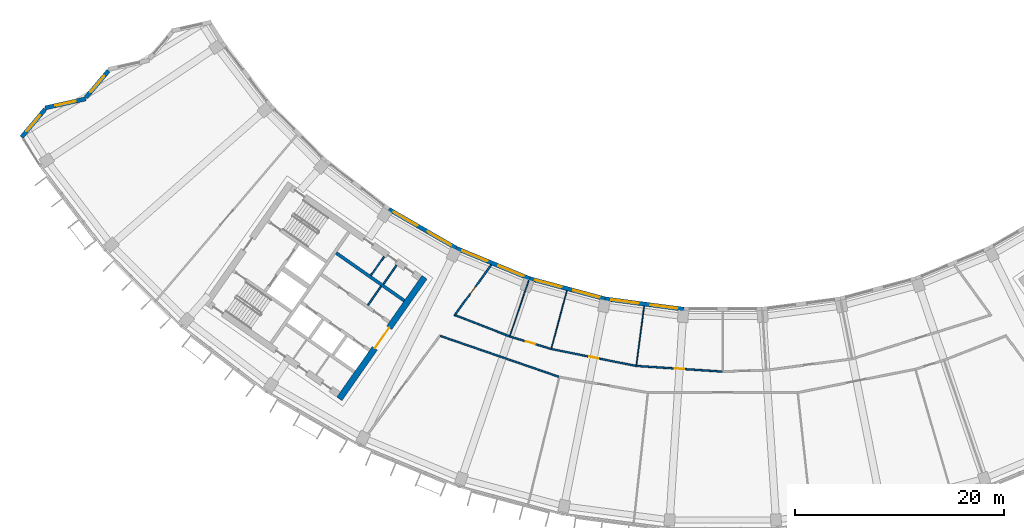
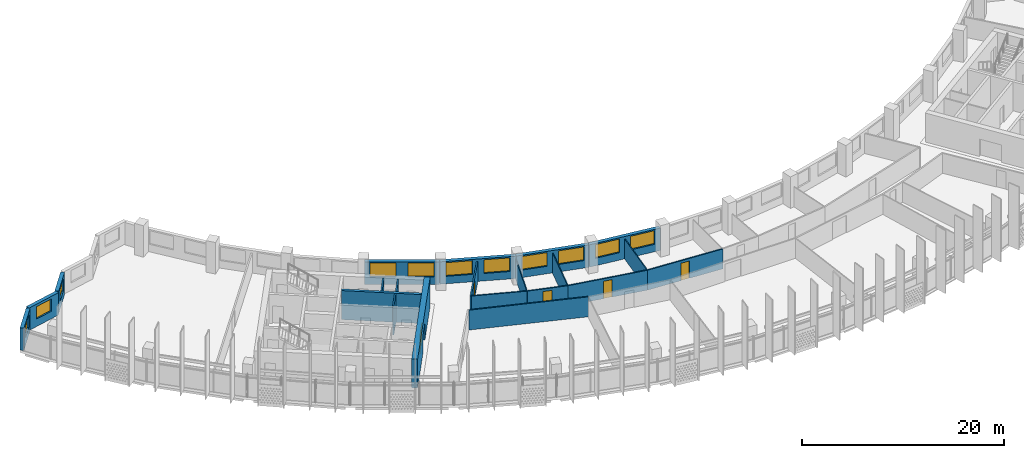
# One storey, part 4 of 28: 21 walls, 11 windows, 5 doors, 16 openings.
"""IFC4 building model written with IfcOpenShell, lengths in metres."""

from ifc_helpers import new_model, si_unit, direction, frame, frame_2d, origin, place, context, subcontext, project, spatial, rectangle, extrude, material, layer, layer_set, type_object, element, fill, save


model = new_model("IFC4")

# Units and contexts
model_context = context("Model", 3, precision=1e-05, world=origin(), true_north=direction((0.0, 1.0)))
body_context = subcontext(model_context, "Body", "Model", "MODEL_VIEW")
ifc_project = project(units=[si_unit("LENGTHUNIT", "METRE"), si_unit("AREAUNIT", "SQUARE_METRE"), si_unit("VOLUMEUNIT", "CUBIC_METRE"), si_unit("PLANEANGLEUNIT", "RADIAN"), si_unit("MASSUNIT", "GRAM", prefix="KILO")], contexts=[model_context])

# Site, building, storey
site_placement = place(None, origin())
site = spatial("IfcSite", under=ifc_project, at=site_placement, CompositionType="ELEMENT")
building_placement = place(site_placement, origin())
building = spatial("IfcBuilding", under=site, at=building_placement, Name="Qamariyya Broadcast Tower", CompositionType="ELEMENT")
storey_placement = place(building_placement, frame((0.0, 0.0, 241.699951171875)))
storey = spatial("IfcBuildingStorey", under=building, at=storey_placement, Name="L58", CompositionType="ELEMENT", Elevation=241.699951171875)

# Wall, opening, door
ifc_material_1 = material(Name="Concrete C60/75", Category="concrete")
ifc_layer_1 = layer(ifc_material_1, 0.60009765625)
ifc_layer_set_1 = layer_set([ifc_layer_1], Name="Core wall 600 mm Concrete C60/75")
wall_type_1 = type_object("IfcWallType", Name="Core wall 600 mm Concrete C60/75", PredefinedType="SHEAR", material=ifc_layer_set_1)
wall_1_placement = place(storey_placement, frame((-36.66748046875, -66.005126953125, 0.0), z_axis=(0.0, 0.0, 1.0), x_axis=(0.573568499524, 0.819157601658, 0.0)))
wall_1 = element("IfcWall", 1, at=wall_1_placement, inside=storey, type_object=wall_type_1, Name="k-W-L58-WA", PredefinedType="SHEAR", context=body_context, shape_type="SweptSolid", body=[
    extrude(rectangle(XDim=14.19970703125, YDim=0.60009765625, at=frame_2d((7.099853515625, 0.0))), origin(), (0.0, 0.0, 1.0), 3.5),
])
opening_1_placement = place(wall_1_placement, frame((5.89990234375, 0.0, 0.0)))
opening_1 = element("IfcOpeningElement", 2, at=opening_1_placement, cuts=wall_1, Name="Opening KD3-W1", PredefinedType="OPENING", context=body_context, shape_type="SweptSolid", body=[
    extrude(rectangle(XDim=2.39990234375, YDim=2.10009765625, at=frame_2d((1.199951171875, 1.050048828125))), frame((0.0, 0.31005859375, 0.0), z_axis=(0.0, -1.0, 0.0), x_axis=(1.0, 0.0, 0.0)), (0.0, 0.0, 1.0), 0.6201171875),
])
ifc_material_2 = material(Name="Steel fire-resisting door leaf", Category="steel")
door_type_1 = type_object("IfcDoorType", Name="Lift lobby door KD3", OperationType="DOUBLE_DOOR_SINGLE_SWING", PredefinedType="DOOR", material=ifc_material_2)
door_1_placement = place(opening_1_placement, origin())
door_1 = element("IfcDoor", 3, at=door_1_placement, inside=storey, type_object=door_type_1, Name="k-W-L58-WA-D1", OperationType="DOUBLE_DOOR_SINGLE_SWING", OverallHeight=2.10009765625, OverallWidth=2.39990234375, PredefinedType="DOOR", context=body_context, shape_type="SweptSolid", body=[
    extrude(rectangle(XDim=2.39990234375, YDim=2.10009765625, at=frame_2d((1.199951171875, 1.050048828125))), frame((0.0, 0.02490234375, 0.0), z_axis=(0.0, -1.0, 0.0), x_axis=(1.0, 0.0, 0.0)), (0.0, 0.0, 1.0), 0.050048828125),
])
fill(opening_1, door_1)

# Walls
ifc_material_3 = material(Name="Gypsum board partition")
ifc_layer_2 = layer(ifc_material_3, 0.14990234375)
ifc_layer_set_2 = layer_set([ifc_layer_2], Name="Corridor partition 150 EI 60")
wall_type_2 = type_object("IfcWallType", Name="Corridor partition 150 EI 60", PredefinedType="PARTITIONING", material=ifc_layer_set_2)
wall_2_placement = place(storey_placement, frame((-27.0068359375, -59.99462890625, 0.0), z_axis=(0.0, 0.0, 1.0), x_axis=(0.9453766492, -0.325980047162, 0.0)))
element("IfcWall", 4, at=wall_2_placement, inside=storey, type_object=wall_type_2, Name="Partition L58-003", PredefinedType="PARTITIONING", context=body_context, shape_type="SweptSolid", body=[
    extrude(rectangle(XDim=12.02587890625, YDim=0.14990234375, at=frame_2d((6.012939453125, 0.0))), origin(), (0.0, 0.0, 1.0), 2.400146484375),
])
wall_3_placement = place(storey_placement, frame((-25.561767578125, -58.014892578125, 0.0), z_axis=(0.0, 0.0, 1.0), x_axis=(0.931697931841, -0.363234034479, 0.0)))
element("IfcWall", 5, at=wall_3_placement, inside=storey, type_object=wall_type_2, Name="Partition L58-004", PredefinedType="PARTITIONING", context=body_context, shape_type="SweptSolid", body=[
    extrude(rectangle(XDim=5.5625, YDim=0.14990234375, at=frame_2d((2.78125, 0.0))), origin(), (0.0, 0.0, 1.0), 2.400146484375),
])

# Wall, opening, door
wall_4_placement = place(storey_placement, frame((-22.135498046875, -53.1943359375, 0.0), z_axis=(0.0, 0.0, 1.0), x_axis=(-0.589297062476, -0.807916438846, 0.0)))
wall_4 = element("IfcWall", 6, at=wall_4_placement, inside=storey, type_object=wall_type_2, Name="Partition L58-005", PredefinedType="PARTITIONING", context=body_context, shape_type="SweptSolid", body=[
    extrude(rectangle(XDim=6.008056640625, YDim=0.14990234375, at=frame_2d((3.00390625, 0.0))), origin(), (0.0, 0.0, 1.0), 2.400146484375),
])
opening_2_placement = place(wall_4_placement, frame((2.553955078125, 0.0, 0.0)))
opening_2 = element("IfcOpeningElement", 7, at=opening_2_placement, cuts=wall_4, Name="Opening L58-D07", PredefinedType="OPENING", context=body_context, shape_type="SweptSolid", body=[
    extrude(rectangle(XDim=0.89990234375, YDim=2.10009765625, at=frame_2d((0.449951171875, 1.050048828125))), frame((0.0, 0.0849609375, 0.0), z_axis=(0.0, -1.0, 0.0), x_axis=(1.0, 0.0, 0.0)), (0.0, 0.0, 1.0), 0.169921875),
])
ifc_material_4 = material(Name="Timber fire door leaf", Category="wood")
door_type_2 = type_object("IfcDoorType", Name="Fire door 900 x 2100 FD60", OperationType="NOTDEFINED", PredefinedType="DOOR", material=ifc_material_4)
door_2_placement = place(opening_2_placement, origin())
door_2 = element("IfcDoor", 8, at=door_2_placement, inside=storey, type_object=door_type_2, Name="Door L58-D07", OperationType="SINGLE_SWING_RIGHT", OverallHeight=2.10009765625, OverallWidth=0.89990234375, PredefinedType="DOOR", context=body_context, shape_type="SweptSolid", body=[
    extrude(rectangle(XDim=0.89990234375, YDim=2.10009765625, at=frame_2d((0.449951171875, 1.050048828125))), frame((0.0, 0.02490234375, 0.0), z_axis=(0.0, -1.0, 0.0), x_axis=(1.0, 0.0, 0.0)), (0.0, 0.0, 1.0), 0.050048828125),
])
fill(opening_2, door_2)

wall_5_placement = place(storey_placement, frame((-20.379150390625, -60.035400390625, 0.0), z_axis=(0.0, 0.0, 1.0), x_axis=(0.956935765286, -0.290299743568, 0.0)))
wall_5 = element("IfcWall", 9, at=wall_5_placement, inside=storey, type_object=wall_type_2, Name="Partition L58-006", PredefinedType="PARTITIONING", context=body_context, shape_type="SweptSolid", body=[
    extrude(rectangle(XDim=4.148681640625, YDim=0.14990234375, at=frame_2d((2.07421875, 0.0))), origin(), (0.0, 0.0, 1.0), 2.400146484375),
])
opening_3_placement = place(wall_5_placement, frame((1.62451171875, 0.0, 0.0)))
opening_3 = element("IfcOpeningElement", 10, at=opening_3_placement, cuts=wall_5, Name="Opening L58-D08", PredefinedType="OPENING", context=body_context, shape_type="SweptSolid", body=[
    extrude(rectangle(XDim=0.89990234375, YDim=2.10009765625, at=frame_2d((0.449951171875, 1.050048828125))), frame((0.0, 0.0849609375, 0.0), z_axis=(0.0, -1.0, 0.0), x_axis=(1.0, 0.0, 0.0)), (0.0, 0.0, 1.0), 0.169921875),
])
door_3_placement = place(opening_3_placement, origin())
door_3 = element("IfcDoor", 11, at=door_3_placement, inside=storey, type_object=door_type_2, Name="Door L58-D08", OperationType="SINGLE_SWING_RIGHT", OverallHeight=2.10009765625, OverallWidth=0.89990234375, PredefinedType="DOOR", context=body_context, shape_type="SweptSolid", body=[
    extrude(rectangle(XDim=0.89990234375, YDim=2.10009765625, at=frame_2d((0.449951171875, 1.050048828125))), frame((0.0, 0.02490234375, 0.0), z_axis=(0.0, -1.0, 0.0), x_axis=(1.0, 0.0, 0.0)), (0.0, 0.0, 1.0), 0.050048828125),
])
fill(opening_3, door_3)

wall_6_placement = place(storey_placement, frame((-16.4091796875, -61.23974609375, 0.0), z_axis=(0.0, 0.0, 1.0), x_axis=(0.98078508005, -0.195091329256, 0.0)))
wall_6 = element("IfcWall", 12, at=wall_6_placement, inside=storey, type_object=wall_type_2, Name="Partition L58-009", PredefinedType="PARTITIONING", context=body_context, shape_type="SweptSolid", body=[
    extrude(rectangle(XDim=8.293212890625, YDim=0.14990234375, at=frame_2d((4.146484375, 0.0))), origin(), (0.0, 0.0, 1.0), 2.400146484375),
])
opening_4_placement = place(wall_6_placement, frame((3.696533203125, 0.0, 0.0)))
opening_4 = element("IfcOpeningElement", 13, at=opening_4_placement, cuts=wall_6, Name="Opening L58-D09", PredefinedType="OPENING", context=body_context, shape_type="SweptSolid", body=[
    extrude(rectangle(XDim=0.89990234375, YDim=2.10009765625, at=frame_2d((0.449951171875, 1.050048828125))), frame((0.0, 0.0849609375, 0.0), z_axis=(0.0, -1.0, 0.0), x_axis=(1.0, 0.0, 0.0)), (0.0, 0.0, 1.0), 0.169921875),
])
door_4_placement = place(opening_4_placement, origin())
door_4 = element("IfcDoor", 14, at=door_4_placement, inside=storey, type_object=door_type_2, Name="Door L58-D09", OperationType="SINGLE_SWING_RIGHT", OverallHeight=2.10009765625, OverallWidth=0.89990234375, PredefinedType="DOOR", context=body_context, shape_type="SweptSolid", body=[
    extrude(rectangle(XDim=0.89990234375, YDim=2.10009765625, at=frame_2d((0.449951171875, 1.050048828125))), frame((0.0, 0.02490234375, 0.0), z_axis=(0.0, -1.0, 0.0), x_axis=(1.0, 0.0, 0.0)), (0.0, 0.0, 1.0), 0.050048828125),
])
fill(opening_4, door_4)

wall_7_placement = place(storey_placement, frame((-8.275390625, -62.857666015625, 0.0), z_axis=(0.0, 0.0, 1.0), x_axis=(0.997860193426, -0.065383747038, 0.0)))
wall_7 = element("IfcWall", 15, at=wall_7_placement, inside=storey, type_object=wall_type_2, Name="Partition L58-013", PredefinedType="PARTITIONING", context=body_context, shape_type="SweptSolid", body=[
    extrude(rectangle(XDim=8.293212890625, YDim=0.14990234375, at=frame_2d((4.146484375, 0.0))), origin(), (0.0, 0.0, 1.0), 2.400146484375),
])
opening_5_placement = place(wall_7_placement, frame((3.696533203125, 0.0, 0.0)))
opening_5 = element("IfcOpeningElement", 16, at=opening_5_placement, cuts=wall_7, Name="Opening L58-D10", PredefinedType="OPENING", context=body_context, shape_type="SweptSolid", body=[
    extrude(rectangle(XDim=0.89990234375, YDim=2.10009765625, at=frame_2d((0.449951171875, 1.050048828125))), frame((0.0, 0.0849609375, 0.0), z_axis=(0.0, -1.0, 0.0), x_axis=(1.0, 0.0, 0.0)), (0.0, 0.0, 1.0), 0.169921875),
])
door_5_placement = place(opening_5_placement, origin())
door_5 = element("IfcDoor", 17, at=door_5_placement, inside=storey, type_object=door_type_2, Name="Door L58-D10", OperationType="SINGLE_SWING_RIGHT", OverallHeight=2.10009765625, OverallWidth=0.89990234375, PredefinedType="DOOR", context=body_context, shape_type="SweptSolid", body=[
    extrude(rectangle(XDim=0.89990234375, YDim=2.10009765625, at=frame_2d((0.449951171875, 1.050048828125))), frame((0.0, 0.02490234375, 0.0), z_axis=(0.0, -1.0, 0.0), x_axis=(1.0, 0.0, 0.0)), (0.0, 0.0, 1.0), 0.050048828125),
])
fill(opening_5, door_5)

# Walls
ifc_material_5 = material(Name="Gypsum board partition on steel studs", Category="steel")
ifc_layer_3 = layer(ifc_material_5, 0.14990234375)
ifc_layer_set_3 = layer_set([ifc_layer_3], Name="Gypsum board partition 150 mm")
wall_type_3 = type_object("IfcWallType", Name="Gypsum board partition 150 mm", PredefinedType="PARTITIONING", material=ifc_layer_set_3)
wall_8_placement = place(storey_placement, frame((-33.9384765625, -57.051513671875, 0.0), z_axis=(0.0, 0.0, 1.0), x_axis=(0.573581496053, 0.819148501424, 0.0)))
element("IfcWall", 18, at=wall_8_placement, inside=storey, type_object=wall_type_3, Name="k-W-L58-NC260", PredefinedType="PARTITIONING", context=body_context, shape_type="SweptSolid", body=[
    extrude(rectangle(XDim=2.2001953125, YDim=0.14990234375, at=frame_2d((1.10009765625, 0.0))), origin(), (0.0, 0.0, 1.0), 3.5),
])
wall_9_placement = place(storey_placement, frame((-32.46337890625, -55.0322265625, 0.0), z_axis=(0.0, 0.0, 1.0), x_axis=(0.573507030513, 0.819200638399, 0.0)))
element("IfcWall", 19, at=wall_9_placement, inside=storey, type_object=wall_type_3, Name="k-W-L58-NP255", PredefinedType="PARTITIONING", context=body_context, shape_type="SweptSolid", body=[
    extrude(rectangle(XDim=2.199951171875, YDim=0.14990234375, at=frame_2d((1.10009765625, 0.0))), origin(), (0.0, 0.0, 1.0), 3.5),
])
wall_10_placement = place(storey_placement, frame((-33.651123046875, -54.200439453125, 0.0), z_axis=(0.0, 0.0, 1.0), x_axis=(0.573559170999, 0.819164133348, 0.0)))
element("IfcWall", 20, at=wall_10_placement, inside=storey, type_object=wall_type_3, Name="k-W-L58-NP400", PredefinedType="PARTITIONING", context=body_context, shape_type="SweptSolid", body=[
    extrude(rectangle(XDim=2.19970703125, YDim=0.14990234375, at=frame_2d((1.099853515625, 0.0))), origin(), (0.0, 0.0, 1.0), 3.5),
])
ifc_layer_4 = layer(ifc_material_1, 0.300048828125)
ifc_layer_set_4 = layer_set([ifc_layer_4], Name="Lift shaft wall 300 mm Concrete C60/75")
wall_type_4 = type_object("IfcWallType", Name="Lift shaft wall 300 mm Concrete C60/75", PredefinedType="SOLIDWALL", material=ifc_layer_set_4)
wall_11_placement = place(storey_placement, frame((-30.460693359375, -56.61767578125, 0.0), z_axis=(0.0, 0.0, 1.0), x_axis=(-0.819142461705, 0.573590121456, 0.0)))
element("IfcWall", 21, at=wall_11_placement, inside=storey, type_object=wall_type_4, Name="k-W-L58-NB0", PredefinedType="SOLIDWALL", context=body_context, shape_type="SweptSolid", body=[
    extrude(rectangle(XDim=7.949951171875, YDim=0.300048828125, at=frame_2d((3.97509765625, 0.0))), origin(), (0.0, 0.0, 1.0), 3.5),
])
ifc_layer_5 = layer(ifc_material_3, 0.10009765625)
ifc_layer_set_5 = layer_set([ifc_layer_5], Name="Partition 100")
wall_type_5 = type_object("IfcWallType", Name="Partition 100", PredefinedType="PARTITIONING", material=ifc_layer_set_5)
wall_12_placement = place(storey_placement, frame((-18.563232421875, -54.685302734375, 0.0), z_axis=(0.0, 0.0, 1.0), x_axis=(-0.321438701958, -0.946930388616, 0.0)))
element("IfcWall", 22, at=wall_12_placement, inside=storey, type_object=wall_type_5, Name="Partition L58-008", PredefinedType="PARTITIONING", context=body_context, shape_type="SweptSolid", body=[
    extrude(rectangle(XDim=5.574951171875, YDim=0.10009765625, at=frame_2d((2.78759765625, 0.0))), origin(), (0.0, 0.0, 1.0), 2.400146484375),
])
for number, where, z_axis, x_axis, name in (
    (23, (-14.9150390625, -55.66357421875, 0.0), (0.0, 0.0, 1.0), (-0.258803907589, -0.965929882247, 0.0), "Partition L58-011"),
    (24, (-7.52197265625, -57.13427734375, 0.0), (0.0, 0.0, 1.0), (-0.130518800749, -0.991445834451, 0.0), "Partition L58-014"),
):
    element("IfcWall", number, at=place(storey_placement, frame(where, z_axis=z_axis, x_axis=x_axis)), inside=storey, type_object=wall_type_5, Name=name, PredefinedType="PARTITIONING", context=body_context, shape_type="SweptSolid", body=[
        extrude(rectangle(XDim=5.69775390625, YDim=0.10009765625, at=frame_2d((2.848876953125, 0.0))), origin(), (0.0, 0.0, 1.0), 2.400146484375),
    ])

# Wall, opening, window
ifc_material_6 = material(Name="Terracotta", Category="masonry")
ifc_layer_6 = layer(ifc_material_6, 0.39990234375)
ifc_layer_set_6 = layer_set([ifc_layer_6], Name="Terracotta clad wall 400")
wall_type_6 = type_object("IfcWallType", Name="Terracotta clad wall 400", PredefinedType="SOLIDWALL", material=ifc_layer_set_6)
wall_13_placement = place(storey_placement, frame((-58.755859375, -34.62841796875, 0.0), z_axis=(0.0, 0.0, 1.0), x_axis=(-0.643997781855, -0.765027357005, 0.0)))
wall_13 = element("IfcWall", 25, at=wall_13_placement, inside=storey, type_object=wall_type_6, Name="e-wl-L58-capW3", PredefinedType="SOLIDWALL", context=body_context, shape_type="SweptSolid", body=[
    extrude(rectangle(XDim=3.324462890625, YDim=0.39990234375, at=frame_2d((1.662109375, 0.0))), origin(), (0.0, 0.0, 1.0), 2.699951171875),
])
opening_6_placement = place(wall_13_placement, frame((0.662353515625, 0.0, 0.89990234375)))
opening_6 = element("IfcOpeningElement", 26, at=opening_6_placement, cuts=wall_13, Name="Opening W4", PredefinedType="OPENING", context=body_context, shape_type="SweptSolid", body=[
    extrude(rectangle(XDim=2.0, YDim=1.5, at=frame_2d((1.0, 0.75))), frame((0.0, 0.2099609375, 0.0), z_axis=(0.0, -1.0, 0.0), x_axis=(1.0, 0.0, 0.0)), (0.0, 0.0, 1.0), 0.419921875),
])
ifc_material_7 = material(Name="Clear low-e double glazed unit in aluminium frame", Category="aluminium")
window_type_1 = type_object("IfcWindowType", Name="Horn bay window 2000 x 1500", PartitioningType="SINGLE_PANEL", PredefinedType="WINDOW", material=ifc_material_7)
window_1_placement = place(opening_6_placement, origin())
window_1 = element("IfcWindow", 27, at=window_1_placement, inside=storey, type_object=window_type_1, Name="e-w-L58-capW3", OverallHeight=1.5, OverallWidth=2.0, PartitioningType="SINGLE_PANEL", PredefinedType="WINDOW", context=body_context, shape_type="SweptSolid", body=[
    extrude(rectangle(XDim=2.0, YDim=1.5, at=frame_2d((1.0, 0.75))), frame((0.0, 0.030029296875, 0.0), z_axis=(0.0, -1.0, 0.0), x_axis=(1.0, 0.0, 0.0)), (0.0, 0.0, 1.0), 0.06005859375),
])
fill(opening_6, window_1)

wall_14_placement = place(storey_placement, frame((-60.9189453125, -37.311279296875, 0.0), z_axis=(0.0, 0.0, 1.0), x_axis=(-0.976062719691, -0.217489234743, 0.0)))
wall_14 = element("IfcWall", 28, at=wall_14_placement, inside=storey, type_object=wall_type_6, Name="e-wl-L58-capW4", PredefinedType="SOLIDWALL", context=body_context, shape_type="SweptSolid", body=[
    extrude(rectangle(XDim=3.978271484375, YDim=0.39990234375, at=frame_2d((1.9892578125, 0.0))), origin(), (0.0, 0.0, 1.0), 2.699951171875),
])
opening_7_placement = place(wall_14_placement, frame((0.989013671875, 0.0, 0.89990234375)))
opening_7 = element("IfcOpeningElement", 29, at=opening_7_placement, cuts=wall_14, Name="Opening W4", PredefinedType="OPENING", context=body_context, shape_type="SweptSolid", body=[
    extrude(rectangle(XDim=2.0, YDim=1.5, at=frame_2d((1.0, 0.75))), frame((0.0, 0.2099609375, 0.0), z_axis=(0.0, -1.0, 0.0), x_axis=(1.0, 0.0, 0.0)), (0.0, 0.0, 1.0), 0.419921875),
])
window_2_placement = place(opening_7_placement, origin())
window_2 = element("IfcWindow", 30, at=window_2_placement, inside=storey, type_object=window_type_1, Name="e-w-L58-capW4", OverallHeight=1.5, OverallWidth=2.0, PartitioningType="SINGLE_PANEL", PredefinedType="WINDOW", context=body_context, shape_type="SweptSolid", body=[
    extrude(rectangle(XDim=2.0, YDim=1.5, at=frame_2d((1.0, 0.75))), frame((0.0, 0.030029296875, 0.0), z_axis=(0.0, -1.0, 0.0), x_axis=(1.0, 0.0, 0.0)), (0.0, 0.0, 1.0), 0.06005859375),
])
fill(opening_7, window_2)

wall_15_placement = place(storey_placement, frame((-64.82421875, -38.31591796875, 0.0), z_axis=(0.0, 0.0, 1.0), x_axis=(-0.643897549934, -0.765111720724, 0.0)))
wall_15 = element("IfcWall", 31, at=wall_15_placement, inside=storey, type_object=wall_type_6, Name="e-wl-L58-capW5", PredefinedType="SOLIDWALL", context=body_context, shape_type="SweptSolid", body=[
    extrude(rectangle(XDim=3.472412109375, YDim=0.39990234375, at=frame_2d((1.736328125, 0.0))), origin(), (0.0, 0.0, 1.0), 2.699951171875),
])
opening_8_placement = place(wall_15_placement, frame((0.736083984375, 0.0, 0.89990234375)))
opening_8 = element("IfcOpeningElement", 32, at=opening_8_placement, cuts=wall_15, Name="Opening W4", PredefinedType="OPENING", context=body_context, shape_type="SweptSolid", body=[
    extrude(rectangle(XDim=2.0, YDim=1.5, at=frame_2d((1.0, 0.75))), frame((0.0, 0.2099609375, 0.0), z_axis=(0.0, -1.0, 0.0), x_axis=(1.0, 0.0, 0.0)), (0.0, 0.0, 1.0), 0.419921875),
])
window_3_placement = place(opening_8_placement, origin())
window_3 = element("IfcWindow", 33, at=window_3_placement, inside=storey, type_object=window_type_1, Name="e-w-L58-capW5", OverallHeight=1.5, OverallWidth=2.0, PartitioningType="SINGLE_PANEL", PredefinedType="WINDOW", context=body_context, shape_type="SweptSolid", body=[
    extrude(rectangle(XDim=2.0, YDim=1.5, at=frame_2d((1.0, 0.75))), frame((0.0, 0.030029296875, 0.0), z_axis=(0.0, -1.0, 0.0), x_axis=(1.0, 0.0, 0.0)), (0.0, 0.0, 1.0), 0.06005859375),
])
fill(opening_8, window_3)

# Wall, openings, windows
wall_16_placement = place(storey_placement, frame((-25.497802734375, -51.590087890625, 0.0), z_axis=(0.0, 0.0, 1.0), x_axis=(-0.866021353871, 0.500007014591, 0.0)))
wall_16 = element("IfcWall", 34, at=wall_16_placement, inside=storey, type_object=wall_type_6, Name="e-wl-L58-in40", PredefinedType="SOLIDWALL", context=body_context, shape_type="SweptSolid", body=[
    extrude(rectangle(XDim=7.4267578125, YDim=0.39990234375, at=frame_2d((3.71337890625, 0.0))), origin(), (0.0, 0.0, 1.0), 2.699951171875),
])
opening_9_placement = place(wall_16_placement, frame((4.28857421875, 0.0, 0.89990234375)))
opening_9 = element("IfcOpeningElement", 35, at=opening_9_placement, cuts=wall_16, Name="Opening W1", PredefinedType="OPENING", context=body_context, shape_type="SweptSolid", body=[
    extrude(rectangle(XDim=2.60009765625, YDim=1.64990234375, at=frame_2d((1.300048828125, 0.824951171875))), frame((0.0, 0.2099609375, 0.0), z_axis=(0.0, -1.0, 0.0), x_axis=(1.0, 0.0, 0.0)), (0.0, 0.0, 1.0), 0.419921875),
])
opening_10_placement = place(wall_16_placement, frame((0.537841796875, 0.0, 0.89990234375)))
opening_10 = element("IfcOpeningElement", 36, at=opening_10_placement, cuts=wall_16, Name="Opening W1", PredefinedType="OPENING", context=body_context, shape_type="SweptSolid", body=[
    extrude(rectangle(XDim=2.60009765625, YDim=1.64990234375, at=frame_2d((1.300048828125, 0.824951171875))), frame((0.0, 0.2099609375, 0.0), z_axis=(0.0, -1.0, 0.0), x_axis=(1.0, 0.0, 0.0)), (0.0, 0.0, 1.0), 0.419921875),
])
window_type_2 = type_object("IfcWindowType", Name="Ribbon window 2600 x 1650", PartitioningType="SINGLE_PANEL", PredefinedType="WINDOW", material=ifc_material_7)
window_4_placement = place(opening_9_placement, origin())
window_4 = element("IfcWindow", 37, at=window_4_placement, inside=storey, type_object=window_type_2, Name="e-w-L58-in04-0", OverallHeight=1.64990234375, OverallWidth=2.60009765625, PartitioningType="SINGLE_PANEL", PredefinedType="WINDOW", context=body_context, shape_type="SweptSolid", body=[
    extrude(rectangle(XDim=2.60009765625, YDim=1.64990234375, at=frame_2d((1.300048828125, 0.824951171875))), frame((0.0, 0.030029296875, 0.0), z_axis=(0.0, -1.0, 0.0), x_axis=(1.0, 0.0, 0.0)), (0.0, 0.0, 1.0), 0.06005859375),
])
fill(opening_9, window_4)
window_5_placement = place(opening_10_placement, origin())
window_5 = element("IfcWindow", 38, at=window_5_placement, inside=storey, type_object=window_type_2, Name="e-w-L58-in04-1", OverallHeight=1.64990234375, OverallWidth=2.60009765625, PartitioningType="SINGLE_PANEL", PredefinedType="WINDOW", context=body_context, shape_type="SweptSolid", body=[
    extrude(rectangle(XDim=2.60009765625, YDim=1.64990234375, at=frame_2d((1.300048828125, 0.824951171875))), frame((0.0, 0.030029296875, 0.0), z_axis=(0.0, -1.0, 0.0), x_axis=(1.0, 0.0, 0.0)), (0.0, 0.0, 1.0), 0.06005859375),
])
fill(opening_10, window_5)

wall_17_placement = place(storey_placement, frame((-18.475830078125, -54.505859375, 0.0), z_axis=(0.0, 0.0, 1.0), x_axis=(-0.923884115122, 0.382672368777, 0.0)))
wall_17 = element("IfcWall", 39, at=wall_17_placement, inside=storey, type_object=wall_type_6, Name="e-wl-L58-in50", PredefinedType="SOLIDWALL", context=body_context, shape_type="SweptSolid", body=[
    extrude(rectangle(XDim=7.578125, YDim=0.39990234375, at=frame_2d((3.7890625, 0.0))), origin(), (0.0, 0.0, 1.0), 2.699951171875),
])
opening_11_placement = place(wall_17_placement, frame((4.364501953125, 0.0, 0.89990234375)))
opening_11 = element("IfcOpeningElement", 40, at=opening_11_placement, cuts=wall_17, Name="Opening W1", PredefinedType="OPENING", context=body_context, shape_type="SweptSolid", body=[
    extrude(rectangle(XDim=2.60009765625, YDim=1.64990234375, at=frame_2d((1.300048828125, 0.824951171875))), frame((0.0, 0.2099609375, 0.0), z_axis=(0.0, -1.0, 0.0), x_axis=(1.0, 0.0, 0.0)), (0.0, 0.0, 1.0), 0.419921875),
])
opening_12_placement = place(wall_17_placement, frame((0.613525390625, 0.0, 0.89990234375)))
opening_12 = element("IfcOpeningElement", 41, at=opening_12_placement, cuts=wall_17, Name="Opening W1", PredefinedType="OPENING", context=body_context, shape_type="SweptSolid", body=[
    extrude(rectangle(XDim=2.60009765625, YDim=1.64990234375, at=frame_2d((1.300048828125, 0.824951171875))), frame((0.0, 0.2099609375, 0.0), z_axis=(0.0, -1.0, 0.0), x_axis=(1.0, 0.0, 0.0)), (0.0, 0.0, 1.0), 0.419921875),
])
window_6_placement = place(opening_11_placement, origin())
window_6 = element("IfcWindow", 42, at=window_6_placement, inside=storey, type_object=window_type_2, Name="e-w-L58-in05-0", OverallHeight=1.64990234375, OverallWidth=2.60009765625, PartitioningType="SINGLE_PANEL", PredefinedType="WINDOW", context=body_context, shape_type="SweptSolid", body=[
    extrude(rectangle(XDim=2.60009765625, YDim=1.64990234375, at=frame_2d((1.300048828125, 0.824951171875))), frame((0.0, 0.030029296875, 0.0), z_axis=(0.0, -1.0, 0.0), x_axis=(1.0, 0.0, 0.0)), (0.0, 0.0, 1.0), 0.06005859375),
])
fill(opening_11, window_6)
window_7_placement = place(opening_12_placement, origin())
window_7 = element("IfcWindow", 43, at=window_7_placement, inside=storey, type_object=window_type_2, Name="e-w-L58-in05-1", OverallHeight=1.64990234375, OverallWidth=2.60009765625, PartitioningType="SINGLE_PANEL", PredefinedType="WINDOW", context=body_context, shape_type="SweptSolid", body=[
    extrude(rectangle(XDim=2.60009765625, YDim=1.64990234375, at=frame_2d((1.300048828125, 0.824951171875))), frame((0.0, 0.030029296875, 0.0), z_axis=(0.0, -1.0, 0.0), x_axis=(1.0, 0.0, 0.0)), (0.0, 0.0, 1.0), 0.06005859375),
])
fill(opening_12, window_7)

wall_18_placement = place(storey_placement, frame((-11.276611328125, -56.431396484375, 0.0), z_axis=(0.0, 0.0, 1.0), x_axis=(-0.965924866111, 0.25882262851, 0.0)))
wall_18 = element("IfcWall", 44, at=wall_18_placement, inside=storey, type_object=wall_type_6, Name="e-wl-L58-in60", PredefinedType="SOLIDWALL", context=body_context, shape_type="SweptSolid", body=[
    extrude(rectangle(XDim=7.426513671875, YDim=0.39990234375, at=frame_2d((3.71337890625, 0.0))), origin(), (0.0, 0.0, 1.0), 2.699951171875),
])
opening_13_placement = place(wall_18_placement, frame((4.28857421875, 0.0, 0.89990234375)))
opening_13 = element("IfcOpeningElement", 45, at=opening_13_placement, cuts=wall_18, Name="Opening W1", PredefinedType="OPENING", context=body_context, shape_type="SweptSolid", body=[
    extrude(rectangle(XDim=2.60009765625, YDim=1.64990234375, at=frame_2d((1.300048828125, 0.824951171875))), frame((0.0, 0.2099609375, 0.0), z_axis=(0.0, -1.0, 0.0), x_axis=(1.0, 0.0, 0.0)), (0.0, 0.0, 1.0), 0.419921875),
])
opening_14_placement = place(wall_18_placement, frame((0.537841796875, 0.0, 0.89990234375)))
opening_14 = element("IfcOpeningElement", 46, at=opening_14_placement, cuts=wall_18, Name="Opening W1", PredefinedType="OPENING", context=body_context, shape_type="SweptSolid", body=[
    extrude(rectangle(XDim=2.60009765625, YDim=1.64990234375, at=frame_2d((1.300048828125, 0.824951171875))), frame((0.0, 0.2099609375, 0.0), z_axis=(0.0, -1.0, 0.0), x_axis=(1.0, 0.0, 0.0)), (0.0, 0.0, 1.0), 0.419921875),
])
window_8_placement = place(opening_13_placement, origin())
window_8 = element("IfcWindow", 47, at=window_8_placement, inside=storey, type_object=window_type_2, Name="e-w-L58-in06-0", OverallHeight=1.64990234375, OverallWidth=2.60009765625, PartitioningType="SINGLE_PANEL", PredefinedType="WINDOW", context=body_context, shape_type="SweptSolid", body=[
    extrude(rectangle(XDim=2.60009765625, YDim=1.64990234375, at=frame_2d((1.300048828125, 0.824951171875))), frame((0.0, 0.030029296875, 0.0), z_axis=(0.0, -1.0, 0.0), x_axis=(1.0, 0.0, 0.0)), (0.0, 0.0, 1.0), 0.06005859375),
])
fill(opening_13, window_8)
window_9_placement = place(opening_14_placement, origin())
window_9 = element("IfcWindow", 48, at=window_9_placement, inside=storey, type_object=window_type_2, Name="e-w-L58-in06-1", OverallHeight=1.64990234375, OverallWidth=2.60009765625, PartitioningType="SINGLE_PANEL", PredefinedType="WINDOW", context=body_context, shape_type="SweptSolid", body=[
    extrude(rectangle(XDim=2.60009765625, YDim=1.64990234375, at=frame_2d((1.300048828125, 0.824951171875))), frame((0.0, 0.030029296875, 0.0), z_axis=(0.0, -1.0, 0.0), x_axis=(1.0, 0.0, 0.0)), (0.0, 0.0, 1.0), 0.06005859375),
])
fill(opening_14, window_9)

wall_19_placement = place(storey_placement, frame((-3.7392578125, -57.430419921875, 0.0), z_axis=(0.0, 0.0, 1.0), x_axis=(-0.991446288508, 0.130515351599, 0.0)))
wall_19 = element("IfcWall", 49, at=wall_19_placement, inside=storey, type_object=wall_type_6, Name="e-wl-L58-in70", PredefinedType="SOLIDWALL", context=body_context, shape_type="SweptSolid", body=[
    extrude(rectangle(XDim=7.57763671875, YDim=0.39990234375, at=frame_2d((3.788818359375, 0.0))), origin(), (0.0, 0.0, 1.0), 2.699951171875),
])
opening_15_placement = place(wall_19_placement, frame((4.364501953125, 0.0, 0.89990234375)))
opening_15 = element("IfcOpeningElement", 50, at=opening_15_placement, cuts=wall_19, Name="Opening W1", PredefinedType="OPENING", context=body_context, shape_type="SweptSolid", body=[
    extrude(rectangle(XDim=2.60009765625, YDim=1.64990234375, at=frame_2d((1.300048828125, 0.824951171875))), frame((0.0, 0.2099609375, 0.0), z_axis=(0.0, -1.0, 0.0), x_axis=(1.0, 0.0, 0.0)), (0.0, 0.0, 1.0), 0.419921875),
])
opening_16_placement = place(wall_19_placement, frame((0.613525390625, 0.0, 0.89990234375)))
opening_16 = element("IfcOpeningElement", 51, at=opening_16_placement, cuts=wall_19, Name="Opening W1", PredefinedType="OPENING", context=body_context, shape_type="SweptSolid", body=[
    extrude(rectangle(XDim=2.60009765625, YDim=1.64990234375, at=frame_2d((1.300048828125, 0.824951171875))), frame((0.0, 0.2099609375, 0.0), z_axis=(0.0, -1.0, 0.0), x_axis=(1.0, 0.0, 0.0)), (0.0, 0.0, 1.0), 0.419921875),
])
window_10_placement = place(opening_15_placement, origin())
window_10 = element("IfcWindow", 52, at=window_10_placement, inside=storey, type_object=window_type_2, Name="e-w-L58-in07-0", OverallHeight=1.64990234375, OverallWidth=2.60009765625, PartitioningType="SINGLE_PANEL", PredefinedType="WINDOW", context=body_context, shape_type="SweptSolid", body=[
    extrude(rectangle(XDim=2.60009765625, YDim=1.64990234375, at=frame_2d((1.300048828125, 0.824951171875))), frame((0.0, 0.030029296875, 0.0), z_axis=(0.0, -1.0, 0.0), x_axis=(1.0, 0.0, 0.0)), (0.0, 0.0, 1.0), 0.06005859375),
])
fill(opening_15, window_10)
window_11_placement = place(opening_16_placement, origin())
window_11 = element("IfcWindow", 53, at=window_11_placement, inside=storey, type_object=window_type_2, Name="e-w-L58-in07-1", OverallHeight=1.64990234375, OverallWidth=2.60009765625, PartitioningType="SINGLE_PANEL", PredefinedType="WINDOW", context=body_context, shape_type="SweptSolid", body=[
    extrude(rectangle(XDim=2.60009765625, YDim=1.64990234375, at=frame_2d((1.300048828125, 0.824951171875))), frame((0.0, 0.030029296875, 0.0), z_axis=(0.0, -1.0, 0.0), x_axis=(1.0, 0.0, 0.0)), (0.0, 0.0, 1.0), 0.06005859375),
])
fill(opening_16, window_11)

save(model, "model.ifc")
